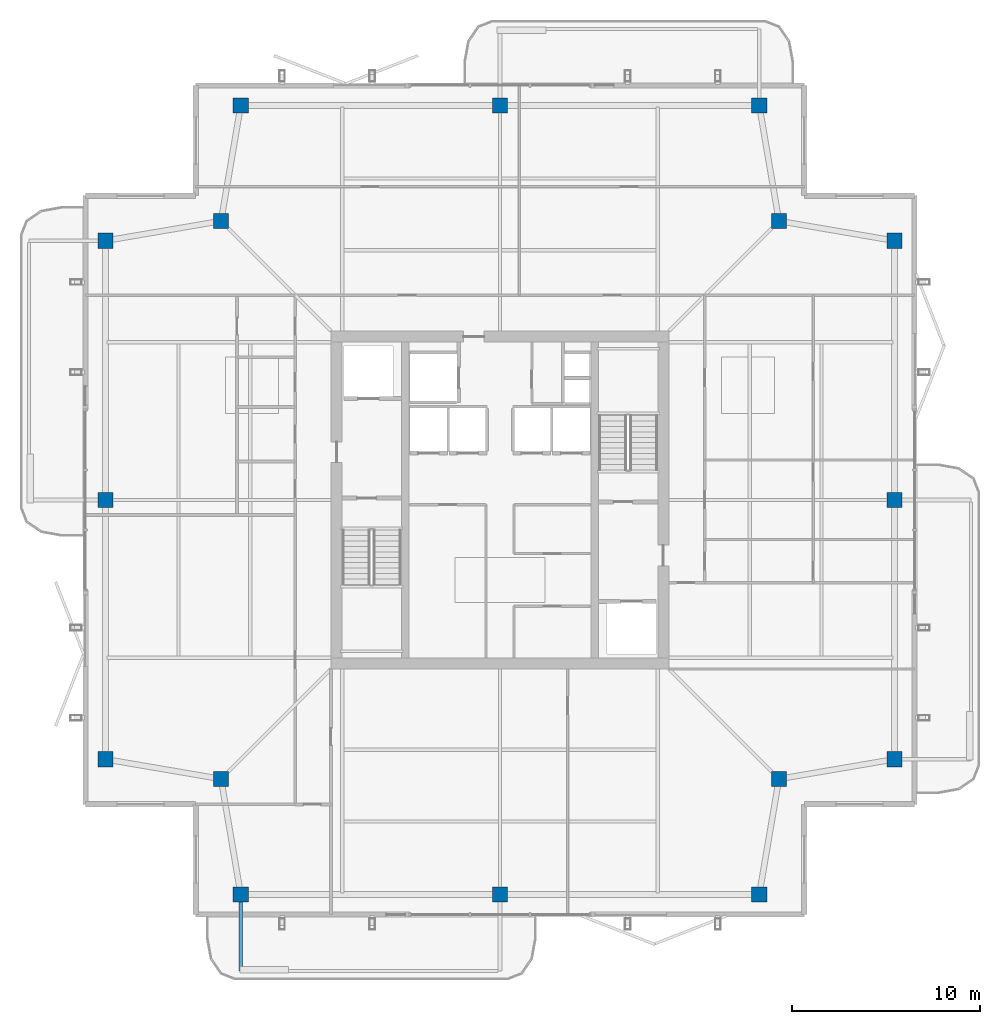
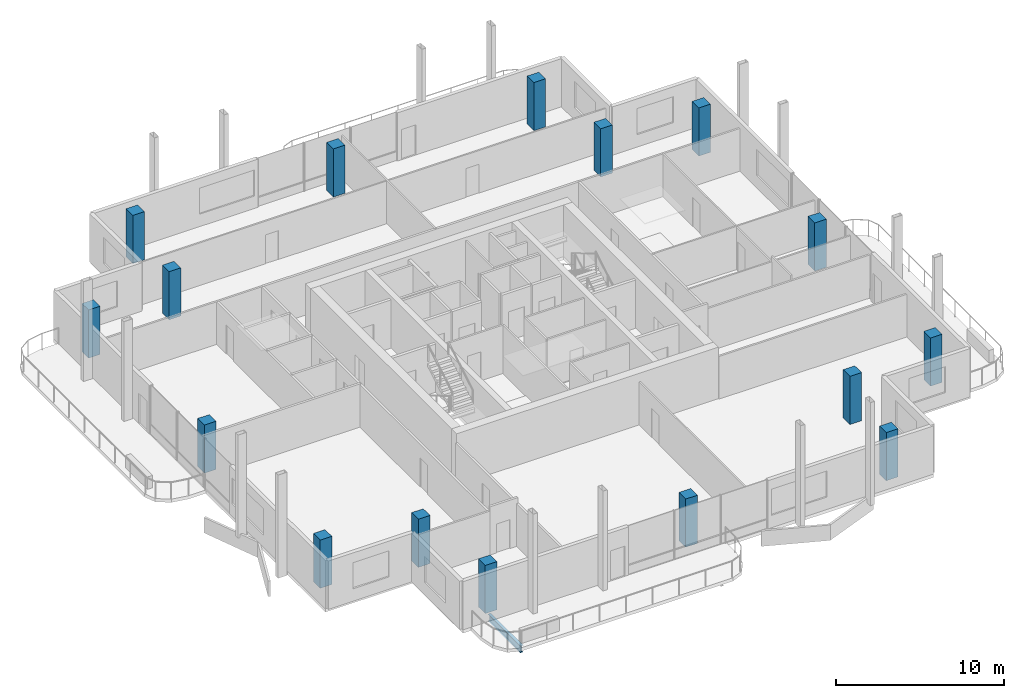
# One storey, part 1 of 22: 16 columns, 1 beam.
"""IFC4 building model written with IfcOpenShell, lengths in metres."""

import ifcopenshell
import ifcopenshell.guid

model = None  # the IFC model being written
_history = None  # IfcOwnerHistory: only IFC2X3 demands one
_inside = {}  # id of a spatial element -> (the spatial element, [elements in it])
_under = {}  # id of a project, library or spatial element -> (it, [spatial elements below it])
_declared = {}  # id of a project -> (the project, [libraries it declares])
_typed = {}  # id of a type object -> (the type object, [elements of that type])
_made_of = {}  # id of a material, layer set ... -> (it, [elements and type objects made of it])


def new_model(schema):
    """Start an empty IFC model of exactly this schema.

    Asked for "IFC4X3", IfcOpenShell would pick the latest addendum, in which some entities
    have other attributes; the version numbers below select the first issue.
    IFC2X3 requires an IfcOwnerHistory on every rooted entity: one is made here for all.
    """
    global model, _history
    if schema == "IFC4X3":
        model = ifcopenshell.file(schema_version=(4, 3, 0, 0))
    else:
        model = ifcopenshell.file(schema=schema)
    _inside.clear()
    _under.clear()
    _declared.clear()
    _typed.clear()
    _made_of.clear()
    _history = None
    if model.schema == "IFC2X3":
        org = make("IfcOrganization", Name="unknown")
        user = make(
            "IfcPersonAndOrganization",
            ThePerson=make("IfcPerson", FamilyName="unknown"),
            TheOrganization=org,
        )
        app = make(
            "IfcApplication",
            ApplicationDeveloper=org,
            Version="unknown",
            ApplicationFullName="unknown",
            ApplicationIdentifier="unknown",
        )
        _history = make(
            "IfcOwnerHistory",
            OwningUser=user,
            OwningApplication=app,
            ChangeAction="ADDED",
            CreationDate=0,
        )
    return model


def make(cls, **values):
    """One entity of the class cls with the attributes given. An attribute that is None is left unset."""
    return model.create_entity(
        cls, **{name: value for name, value in values.items() if value is not None}
    )


def rooted(cls, **values):
    """An entity with a GlobalId (a new one), such as an element, a storey or a relation."""
    return make(cls, GlobalId=ifcopenshell.guid.new(), OwnerHistory=_history, **values)


def si_unit(unit_type, name, prefix=None):
    """IfcSIUnit, for example si_unit("LENGTHUNIT", "METRE", prefix="MILLI")."""
    return make("IfcSIUnit", UnitType=unit_type, Prefix=prefix, Name=name)


def assignment(units):
    """IfcUnitAssignment: the units of a project."""
    return None if units is None else make("IfcUnitAssignment", Units=units)


def point(xyz):
    """IfcCartesianPoint."""
    return None if xyz is None else make("IfcCartesianPoint", Coordinates=xyz)


def direction(xyz):
    """IfcDirection."""
    return None if xyz is None else make("IfcDirection", DirectionRatios=xyz)


def frame(location, z_axis=None, x_axis=None):
    """IfcAxis2Placement3D, a coordinate frame: its origin and axes. An axis left out is left unset."""
    return make(
        "IfcAxis2Placement3D",
        Location=point(location),
        Axis=direction(z_axis),
        RefDirection=direction(x_axis),
    )


def frame_2d(location, x_axis=None):
    """IfcAxis2Placement2D, a coordinate frame in the plane: its origin and x axis."""
    return make(
        "IfcAxis2Placement2D", Location=point(location), RefDirection=direction(x_axis)
    )


def origin():
    """The frame at (0, 0, 0) with its axes left unset."""
    return frame((0.0, 0.0, 0.0))


def origin_2d():
    """The frame at (0, 0) in the plane with its x axis left unset."""
    return frame_2d((0.0, 0.0))


def place(relative_to, where):
    """IfcLocalPlacement: puts the frame where relative to a parent placement (None: the world)."""
    return make(
        "IfcLocalPlacement", PlacementRelTo=relative_to, RelativePlacement=where
    )


def context(
    kind, dimensions, precision=None, world=None, true_north=None, identifier=None
):
    """IfcGeometricRepresentationContext, for example the 3D "Model" context."""
    return make(
        "IfcGeometricRepresentationContext",
        ContextIdentifier=identifier,
        ContextType=kind,
        CoordinateSpaceDimension=dimensions,
        Precision=precision,
        WorldCoordinateSystem=world,
        TrueNorth=true_north,
    )


def subcontext(parent, identifier, kind, view, scale=None):
    """IfcGeometricRepresentationSubContext, for example "Body" below "Model"."""
    return make(
        "IfcGeometricRepresentationSubContext",
        ContextIdentifier=identifier,
        ContextType=kind,
        ParentContext=parent,
        TargetScale=scale,
        TargetView=view,
    )


def project(units=None, contexts=None):
    """IfcProject with its units and contexts."""
    return rooted(
        "IfcProject",
        Name="project",
        RepresentationContexts=contexts,
        UnitsInContext=assignment(units),
    )


def spatial(cls, under=None, at=None, **own):
    """A site, building, storey or space (cls), placed at a placement, below another one or the project."""
    s = rooted(cls, ObjectPlacement=at, **own)
    if under is not None:
        _under.setdefault(under.id(), (under, []))[1].append(s)
    return s


def profile(cls, at=None, kind="AREA", **sizes):
    """A parametric profile (cls). Its sizes go by their IFC names, for example OverallWidth=200.0."""
    return make(cls, ProfileType=kind, Position=at, **sizes)


def rectangle(**sizes):
    """IfcRectangleProfileDef."""
    return profile("IfcRectangleProfileDef", **sizes)


def i_section(**sizes):
    """IfcIShapeProfileDef."""
    return profile("IfcIShapeProfileDef", **sizes)


def extrude(swept, where, along, depth):
    """IfcExtrudedAreaSolid: the profile swept, set in the frame where, extruded along a direction by depth."""
    return make(
        "IfcExtrudedAreaSolid",
        SweptArea=swept,
        Position=where,
        ExtrudedDirection=direction(along),
        Depth=depth,
    )


def shape(context_of_items, identifier, shape_type, items):
    """IfcShapeRepresentation: the items that make up one representation, for example the "Body"."""
    return make(
        "IfcShapeRepresentation",
        ContextOfItems=context_of_items,
        RepresentationIdentifier=identifier,
        RepresentationType=shape_type,
        Items=items,
    )


def material(Name=None, Category=None):
    """IfcMaterial."""
    return make("IfcMaterial", Name=Name, Category=Category)


def material_profile(
    of_material, cross_section, Name=None, Category=None, Priority=None
):
    """IfcMaterialProfile: a cross section and its material."""
    return make(
        "IfcMaterialProfile",
        Name=Name,
        Material=of_material,
        Profile=cross_section,
        Priority=Priority,
        Category=Category,
    )


def profile_set(profiles, Name=None, composite=None):
    """IfcMaterialProfileSet."""
    return make(
        "IfcMaterialProfileSet",
        Name=Name,
        MaterialProfiles=profiles,
        CompositeProfile=composite,
    )


def made_of(thing, what):
    """Note that an element or type object is made of a material, layer set ...; save() writes the relation."""
    if what is not None:
        _made_of.setdefault(what.id(), (what, []))[1].append(thing)
    return thing


def type_object(cls, material=None, **own):
    """A type object (cls), such as IfcWallType, which elements share."""
    return made_of(rooted(cls, **own), material)


def element(
    cls,
    number,
    at=None,
    inside=None,
    cuts=None,
    type_object=None,
    material=None,
    context=None,
    identifier="Body",
    shape_type=None,
    held_by="IfcProductDefinitionShape",
    body=None,
    shapes=None,
    **own,
):
    """One element of the class cls, such as IfcWall. Its Tag is "e" and its number.

    at: its placement. inside: the storey or other place that contains it. cuts: it is an
    opening in that element (IfcRelVoidsElement). A single representation is given by context,
    identifier, shape_type and body (its items); several are given by shapes. held_by: the class
    of the entity that holds the representations. save() writes the other relations.
    """
    e = rooted(cls, Tag="e%d" % number, ObjectPlacement=at, **own)
    if body is not None:
        shapes = [shape(context, identifier, shape_type, body)]
    if shapes is not None:
        e.Representation = make(held_by, Representations=shapes)
    if inside is not None:
        _inside.setdefault(inside.id(), (inside, []))[1].append(e)
    if cuts is not None:
        rooted(
            "IfcRelVoidsElement", RelatingBuildingElement=cuts, RelatedOpeningElement=e
        )
    if type_object is not None:
        _typed.setdefault(type_object.id(), (type_object, []))[1].append(e)
    return made_of(e, material)


def aggregate(whole, parts):
    """IfcRelAggregates: a whole, such as a stair, and the parts it consists of."""
    return rooted("IfcRelAggregates", RelatingObject=whole, RelatedObjects=parts)


def save(model, path):
    """Write the relations noted so far, then the file.

    IfcRelAggregates (storeys below a building ...), IfcRelContainedInSpatialStructure (elements
    in a storey), IfcRelDefinesByType, IfcRelAssociatesMaterial and IfcRelDeclares: one each for
    every whole, place, type object, material and project.
    """
    for whole, parts in _under.values():
        aggregate(whole, parts)
    for where, things in _inside.values():
        rooted(
            "IfcRelContainedInSpatialStructure",
            RelatedElements=things,
            RelatingStructure=where,
        )
    for kind, things in _typed.values():
        rooted("IfcRelDefinesByType", RelatedObjects=things, RelatingType=kind)
    for what, things in _made_of.values():
        rooted("IfcRelAssociatesMaterial", RelatedObjects=things, RelatingMaterial=what)
    for by, libraries in _declared.values():
        rooted("IfcRelDeclares", RelatingContext=by, RelatedDefinitions=libraries)
    model.write(path)


model = new_model("IFC4")

# Units and contexts
model_context = context("Model", 3, precision=1e-05, world=origin(), true_north=direction((0.0, 1.0)))
body_context = subcontext(model_context, "Body", "Model", "MODEL_VIEW")
ifc_project = project(units=[si_unit("LENGTHUNIT", "METRE"), si_unit("AREAUNIT", "SQUARE_METRE"), si_unit("VOLUMEUNIT", "CUBIC_METRE"), si_unit("PLANEANGLEUNIT", "RADIAN"), si_unit("MASSUNIT", "GRAM", prefix="KILO")], contexts=[model_context])

# Site, building, storey
site_placement = place(None, origin())
site = spatial("IfcSite", under=ifc_project, at=site_placement, CompositionType="ELEMENT")
building_placement = place(site_placement, origin())
building = spatial("IfcBuilding", under=site, at=building_placement, Name="Belovzor Exchange Tower", CompositionType="ELEMENT")
storey_placement = place(building_placement, frame((0.0, 0.0, 336.75)))
storey = spatial("IfcBuildingStorey", under=building, at=storey_placement, Name="L84", CompositionType="ELEMENT", Elevation=336.75)

# Columns
ifc_material_1 = material(Name="Concrete C50/60", Category="concrete")
ifc_material_profile_1 = material_profile(ifc_material_1, rectangle(XDim=0.800048828125, YDim=0.800048828125, at=origin_2d()))
ifc_profile_set_1 = profile_set([ifc_material_profile_1], Name="Concrete C50/60")
column_type = type_object("IfcColumnType", Name="Reinforced Concrete Tower Column 800x800", PredefinedType="COLUMN", material=ifc_profile_set_1)
for number, where, z_axis, x_axis, name in (
    (1, (15.0, 7.800048828125, 0.0029296875), (0.0, 0.0, 1.0), (1.0, 0.0, 0.0), "COL-T080 Reinforced Concrete Tower Column 800x800"),
    (2, (28.800048828125, 7.800048828125, 0.0029296875), (0.0, 0.0, 1.0), (1.0, 0.0, 0.0), "COL-T080 Reinforced Concrete Tower Column 800x800"),
    (3, (42.60009765625, 7.800048828125, 0.0029296875), (0.0, 0.0, 1.0), (1.0, 0.0, 0.0), "COL-T080 Reinforced Concrete Tower Column 800x800"),
    (4, (49.800048828125, 15.0, 0.0029296875), (0.0, 0.0, 1.0), (1.0, 0.0, 0.0), "COL-T080 Reinforced Concrete Tower Column 800x800"),
    (5, (49.800048828125, 28.800048828125, 0.0029296875), (0.0, 0.0, 1.0), (1.0, 0.0, 0.0), "COL-T080 Reinforced Concrete Tower Column 800x800"),
    (6, (49.800048828125, 42.60009765625, 0.0029296875), (0.0, 0.0, 1.0), (1.0, 0.0, 0.0), "COL-T080 Reinforced Concrete Tower Column 800x800"),
    (7, (42.60009765625, 49.800048828125, 0.0029296875), (0.0, 0.0, 1.0), (1.0, 0.0, 0.0), "COL-T080 Reinforced Concrete Tower Column 800x800"),
    (8, (28.800048828125, 49.800048828125, 0.0029296875), (0.0, 0.0, 1.0), (1.0, 0.0, 0.0), "COL-T080 Reinforced Concrete Tower Column 800x800"),
    (9, (15.0, 49.800048828125, 0.0029296875), (0.0, 0.0, 1.0), (1.0, 0.0, 0.0), "COL-T080 Reinforced Concrete Tower Column 800x800"),
    (10, (7.800048828125, 42.60009765625, 0.0029296875), (0.0, 0.0, 1.0), (1.0, 0.0, 0.0), "COL-T080 Reinforced Concrete Tower Column 800x800"),
    (11, (7.800048828125, 28.800048828125, 0.0029296875), (0.0, 0.0, 1.0), (1.0, 0.0, 0.0), "COL-T080 Reinforced Concrete Tower Column 800x800"),
    (12, (7.800048828125, 15.0, 0.0029296875), (0.0, 0.0, 1.0), (1.0, 0.0, 0.0), "COL-T080 Reinforced Concrete Tower Column 800x800"),
    (13, (13.949951171875, 13.949951171875, 0.0029296875), (0.0, 0.0, 1.0), (1.0, 0.0, 0.0), "COL-T080 Reinforced Concrete Tower Column 800x800"),
    (14, (43.64990234375, 13.949951171875, 0.0029296875), (0.0, 0.0, 1.0), (1.0, 0.0, 0.0), "COL-T080 Reinforced Concrete Tower Column 800x800"),
    (15, (43.64990234375, 43.64990234375, 0.0029296875), (0.0, 0.0, 1.0), (1.0, 0.0, 0.0), "COL-T080 Reinforced Concrete Tower Column 800x800"),
    (16, (13.949951171875, 43.64990234375, 0.0029296875), (0.0, 0.0, 1.0), (1.0, 0.0, 0.0), "COL-T080 Reinforced Concrete Tower Column 800x800"),
):
    element("IfcColumn", number, at=place(storey_placement, frame(where, z_axis=z_axis, x_axis=x_axis)), inside=storey, type_object=column_type, Name=name, PredefinedType="COLUMN", context=body_context, shape_type="SweptSolid", body=[
        extrude(rectangle(XDim=0.800048828125, YDim=0.800048828125, at=origin_2d()), origin(), (0.0, 0.0, 1.0), 3.504150390625),
    ])

# Beam
ifc_material_2 = material(Name="Steel S355", Category="steel")
ifc_material_profile_2 = material_profile(ifc_material_2, i_section(OverallWidth=0.199951171875, OverallDepth=0.5, WebThickness=0.01025390625, FlangeThickness=0.01611328125, at=origin_2d()))
ifc_profile_set_2 = profile_set([ifc_material_profile_2], Name="Steel S355")
beam_type = type_object("IfcBeamType", Name="Planted Balcony Cantilever Beam IPE 500", PredefinedType="BEAM", material=ifc_profile_set_2)
beam_placement = place(storey_placement, frame((15.0, 7.580078125, -0.489990234375), z_axis=(0.0, -1.0, 0.0), x_axis=(1.0, 0.0, 0.0)))
element("IfcBeam", 17, at=beam_placement, inside=storey, type_object=beam_type, Name="BC-500 Planted Balcony Cantilever Beam IPE 500", PredefinedType="BEAM", context=body_context, shape_type="SweptSolid", body=[
    extrude(i_section(OverallWidth=0.199951171875, OverallDepth=0.5, WebThickness=0.01025390625, FlangeThickness=0.01611328125, at=origin_2d()), origin(), (0.0, 0.0, 1.0), 3.85009765625),
])

save(model, "model.ifc")
